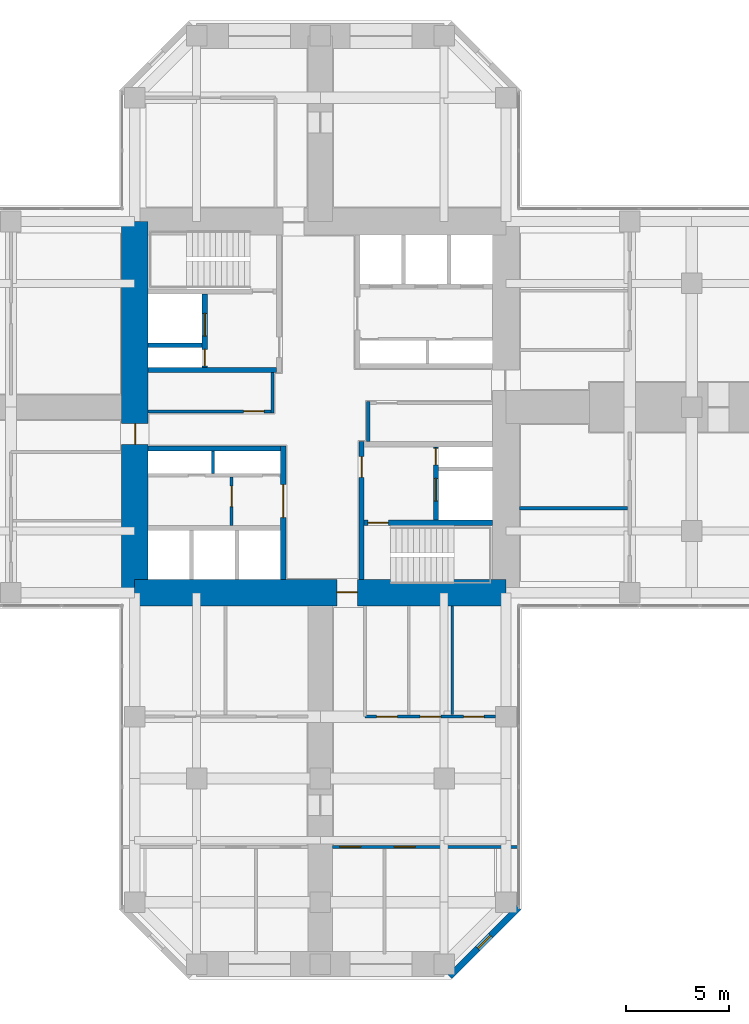
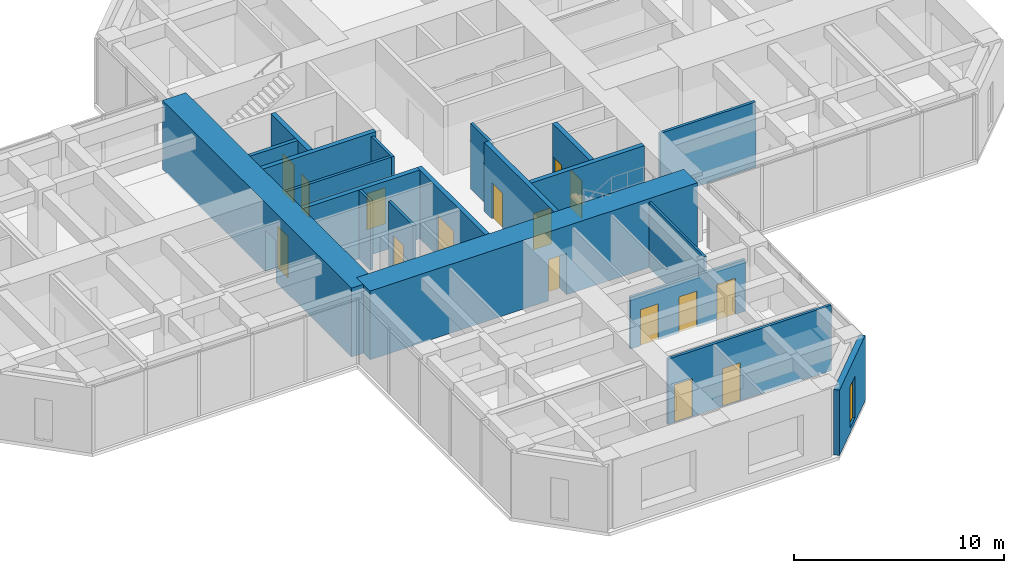
# One storey, part 9 of 13: 20 walls, 16 doors, 1 window, 17 openings.
"""IFC4 building model written with IfcOpenShell, lengths in metres."""

from ifc_helpers import new_model, si_unit, direction, frame, frame_2d, origin, place, context, subcontext, project, spatial, rectangle, hollow_rectangle, extrude, material, layer, layer_set, constituent, constituent_set, type_object, element, fill, save


model = new_model("IFC4")

# Units and contexts
model_context = context("Model", 3, precision=1e-05, world=origin(), true_north=direction((0.0, 1.0)))
body_context = subcontext(model_context, "Body", "Model", "MODEL_VIEW")
ifc_project = project(units=[si_unit("LENGTHUNIT", "METRE"), si_unit("AREAUNIT", "SQUARE_METRE"), si_unit("VOLUMEUNIT", "CUBIC_METRE"), si_unit("PLANEANGLEUNIT", "RADIAN"), si_unit("MASSUNIT", "GRAM", prefix="KILO")], contexts=[model_context])

# Site, building, storey
site_placement = place(None, origin())
site = spatial("IfcSite", under=ifc_project, at=site_placement, CompositionType="ELEMENT")
building_placement = place(site_placement, origin())
building = spatial("IfcBuilding", under=site, at=building_placement, Name="Torre Cruceta", CompositionType="ELEMENT")
storey_placement = place(building_placement, frame((0.0, 0.0, 156.5)))
storey = spatial("IfcBuildingStorey", under=building, at=storey_placement, Name="L38", CompositionType="ELEMENT", Elevation=156.5)

# Wall
ifc_material_1 = material(Name="Concrete G60 (fck 60 MPa)", Category="concrete")
ifc_layer_1 = layer(ifc_material_1, 0.25)
ifc_layer_set_1 = layer_set([ifc_layer_1], Name="Concrete G60 (fck 60 MPa)")
wall_type_1 = type_object("IfcWallType", Name="CORE INNER WALL 250 G60", PredefinedType="SHEAR", material=ifc_layer_set_1)
wall_1_placement = place(storey_placement, frame((-2.125, 1.800048828125, 0.0), z_axis=(0.0, 0.0, 1.0), x_axis=(-1.0, 0.0, 0.0)))
element("IfcWall", 1, at=wall_1_placement, inside=storey, type_object=wall_type_1, Name="CW4 L38 NW-CV", PredefinedType="SHEAR", context=body_context, shape_type="SweptSolid", body=[
    extrude(rectangle(XDim=6.22509765625, YDim=0.25, at=frame_2d((3.112548828125, 0.0))), origin(), (0.0, 0.0, 1.0), 4.0),
])

# Wall, openings, doors
wall_2_placement = place(storey_placement, frame((-5.60009765625, 1.925048828125, 0.0), z_axis=(0.0, 0.0, 1.0), x_axis=(0.0, 1.0, 0.0)))
wall_2 = element("IfcWall", 2, at=wall_2_placement, inside=storey, type_object=wall_type_1, Name="CW4 L38 NW-FU", PredefinedType="SHEAR", context=body_context, shape_type="SweptSolid", body=[
    extrude(rectangle(XDim=3.550048828125, YDim=0.25, at=frame_2d((1.77490234375, 0.0))), origin(), (0.0, 0.0, 1.0), 4.0),
])
opening_1_placement = place(wall_2_placement, frame((1.52490234375, 0.0, 0.0)))
opening_1 = element("IfcOpeningElement", 3, at=opening_1_placement, cuts=wall_2, Name="Opening LD1", PredefinedType="OPENING", context=body_context, shape_type="SweptSolid", body=[
    extrude(rectangle(XDim=1.10009765625, YDim=2.199951171875, at=frame_2d((0.550048828125, 1.10009765625))), frame((0.0, 0.135009765625, 0.0), z_axis=(0.0, -1.0, 0.0), x_axis=(1.0, 0.0, 0.0)), (0.0, 0.0, 1.0), 0.27001953125),
])
opening_2_placement = place(wall_2_placement, frame((0.074951171875, 0.0, 0.0)))
opening_2 = element("IfcOpeningElement", 4, at=opening_2_placement, cuts=wall_2, Name="Opening D5", PredefinedType="OPENING", context=body_context, shape_type="SweptSolid", body=[
    extrude(rectangle(XDim=0.800048828125, YDim=2.10009765625, at=frame_2d((0.39990234375, 1.050048828125))), frame((0.0, 0.135009765625, 0.0), z_axis=(0.0, -1.0, 0.0), x_axis=(1.0, 0.0, 0.0)), (0.0, 0.0, 1.0), 0.27001953125),
])
ifc_material_2 = material(Name="Stainless steel 1.4401", Category="steel")
door_type_1 = type_object("IfcDoorType", Name="LIFT LANDING DOOR 1100X2200", OperationType="DOUBLE_DOOR_SLIDING", PredefinedType="DOOR", material=ifc_material_2)
door_1_placement = place(opening_1_placement, origin())
door_1 = element("IfcDoor", 5, at=door_1_placement, inside=storey, type_object=door_type_1, Name="Lift landing door FL1", OperationType="DOUBLE_DOOR_SLIDING", OverallHeight=2.199951171875, OverallWidth=1.10009765625, PredefinedType="DOOR", context=body_context, shape_type="SweptSolid", body=[
    extrude(rectangle(XDim=1.10009765625, YDim=2.199951171875, at=frame_2d((0.550048828125, 1.10009765625))), frame((0.0, 0.02490234375, 0.0), z_axis=(0.0, -1.0, 0.0), x_axis=(1.0, 0.0, 0.0)), (0.0, 0.0, 1.0), 0.050048828125),
])
fill(opening_1, door_1)
ifc_material_3 = material(Name="Steel DX51D", Category="steel")
ifc_constituent_1 = constituent(ifc_material_3, Name="Leaf and frame")
ifc_material_4 = material(Name="Polyester powder coating", Category="paint")
ifc_constituent_2 = constituent(ifc_material_4, Name="Finish")
ifc_constituent_set_1 = constituent_set(constituents=[ifc_constituent_1, ifc_constituent_2], Name="Steel fire door")
door_type_2 = type_object("IfcDoorType", Name="RISER ACCESS DOOR 800X2100", OperationType="SINGLE_SWING_LEFT", PredefinedType="DOOR", material=ifc_constituent_set_1)
door_2_placement = place(opening_2_placement, origin())
door_2 = element("IfcDoor", 6, at=door_2_placement, inside=storey, type_object=door_type_2, Name="D5 L38 NW-RISER", OperationType="SINGLE_SWING_LEFT", OverallHeight=2.10009765625, OverallWidth=0.800048828125, PredefinedType="DOOR", context=body_context, shape_type="SweptSolid", body=[
    extrude(rectangle(XDim=0.800048828125, YDim=2.10009765625, at=frame_2d((0.39990234375, 1.050048828125))), frame((0.0, 0.02490234375, 0.0), z_axis=(0.0, -1.0, 0.0), x_axis=(1.0, 0.0, 0.0)), (0.0, 0.0, 1.0), 0.050048828125),
])
fill(opening_2, door_2)

# Wall, opening, door
wall_3_placement = place(storey_placement, frame((-1.800048828125, -1.875, 0.0), z_axis=(0.0, 0.0, 1.0), x_axis=(0.0, -1.0, 0.0)))
wall_3 = element("IfcWall", 7, at=wall_3_placement, inside=storey, type_object=wall_type_1, Name="CW4 L38 SW-CU", PredefinedType="SHEAR", context=body_context, shape_type="SweptSolid", body=[
    extrude(rectangle(XDim=6.47509765625, YDim=0.25, at=frame_2d((3.237548828125, 0.0))), origin(), (0.0, 0.0, 1.0), 4.0),
])
opening_3_placement = place(wall_3_placement, frame((1.875, 0.0, 0.0)))
opening_3 = element("IfcOpeningElement", 8, at=opening_3_placement, cuts=wall_3, Name="Opening D15", PredefinedType="OPENING", context=body_context, shape_type="SweptSolid", body=[
    extrude(rectangle(XDim=1.60009765625, YDim=2.39990234375, at=frame_2d((0.800048828125, 1.199951171875))), frame((0.0, 0.135009765625, 0.0), z_axis=(0.0, -1.0, 0.0), x_axis=(1.0, 0.0, 0.0)), (0.0, 0.0, 1.0), 0.27001953125),
])
ifc_material_5 = material(Name="Steel DX51D", Category="steel")
ifc_constituent_3 = constituent(ifc_material_5, Name="Leaf and frame")
ifc_material_6 = material(Name="Polyester powder coating", Category="paint")
ifc_constituent_4 = constituent(ifc_material_6, Name="Finish")
ifc_constituent_set_2 = constituent_set(constituents=[ifc_constituent_3, ifc_constituent_4], Name="Steel fire door")
door_type_3 = type_object("IfcDoorType", Name="CORE ROOM DOUBLE DOOR 1600X2400", OperationType="DOUBLE_DOOR_SINGLE_SWING", PredefinedType="DOOR", material=ifc_constituent_set_2)
door_3_placement = place(opening_3_placement, frame((1.60009765625, 0.0, 0.0), z_axis=(0.0, 0.0, 1.0), x_axis=(-1.0, 0.0, 0.0)))
door_3 = element("IfcDoor", 9, at=door_3_placement, inside=storey, type_object=door_type_3, Name="D15 L38 SW-LOBBY", OperationType="DOUBLE_DOOR_SINGLE_SWING", OverallHeight=2.39990234375, OverallWidth=1.60009765625, PredefinedType="DOOR", context=body_context, shape_type="SweptSolid", body=[
    extrude(rectangle(XDim=1.60009765625, YDim=2.39990234375, at=frame_2d((0.800048828125, 1.199951171875))), frame((0.0, 0.025146484375, 0.0), z_axis=(0.0, -1.0, 0.0), x_axis=(1.0, 0.0, 0.0)), (0.0, 0.0, 1.0), 0.050048828125),
])
fill(opening_3, door_3)

# Wall
wall_4_placement = place(storey_placement, frame((-1.925048828125, -2.0, 0.0), z_axis=(0.0, 0.0, 1.0), x_axis=(-1.0, 0.0, 0.0)))
element("IfcWall", 10, at=wall_4_placement, inside=storey, type_object=wall_type_1, Name="CW4 L38 SW-CV", PredefinedType="SHEAR", context=body_context, shape_type="SweptSolid", body=[
    extrude(rectangle(XDim=6.425048828125, YDim=0.25, at=frame_2d((3.21240234375, 0.0))), origin(), (0.0, 0.0, 1.0), 4.0),
])

# Wall, opening, door
wall_5_placement = place(storey_placement, frame((2.0, -1.675048828125, 0.0), z_axis=(0.0, 0.0, 1.0), x_axis=(0.0, -1.0, 0.0)))
wall_5 = element("IfcWall", 11, at=wall_5_placement, inside=storey, type_object=wall_type_1, Name="CW4 L38 SE-CU", PredefinedType="SHEAR", context=body_context, shape_type="SweptSolid", body=[
    extrude(rectangle(XDim=6.675048828125, YDim=0.25, at=frame_2d((3.33740234375, 0.0))), origin(), (0.0, 0.0, 1.0), 4.0),
])
opening_4_placement = place(wall_5_placement, frame((0.72509765625, 0.0, 0.0)))
opening_4 = element("IfcOpeningElement", 12, at=opening_4_placement, cuts=wall_5, Name="Opening D3", PredefinedType="OPENING", context=body_context, shape_type="SweptSolid", body=[
    extrude(rectangle(XDim=1.0, YDim=2.10009765625, at=frame_2d((0.5, 1.050048828125))), frame((0.0, 0.135009765625, 0.0), z_axis=(0.0, -1.0, 0.0), x_axis=(1.0, 0.0, 0.0)), (0.0, 0.0, 1.0), 0.27001953125),
])
ifc_material_7 = material(Name="Steel DX51D", Category="steel")
ifc_constituent_5 = constituent(ifc_material_7, Name="Leaf and frame")
ifc_material_8 = material(Name="Polyester powder coating", Category="paint")
ifc_constituent_6 = constituent(ifc_material_8, Name="Finish")
ifc_constituent_set_3 = constituent_set(constituents=[ifc_constituent_5, ifc_constituent_6], Name="Steel fire door")
door_type_4 = type_object("IfcDoorType", Name="FIRE DOOR 1000X2100", OperationType="SINGLE_SWING_LEFT", PredefinedType="DOOR", material=ifc_constituent_set_3)
door_4_placement = place(opening_4_placement, origin())
door_4 = element("IfcDoor", 13, at=door_4_placement, inside=storey, type_object=door_type_4, Name="D3 L38 SE-LOBBY", OperationType="SINGLE_SWING_LEFT", OverallHeight=2.10009765625, OverallWidth=1.0, PredefinedType="DOOR", context=body_context, shape_type="SweptSolid", body=[
    extrude(rectangle(XDim=1.0, YDim=2.10009765625, at=frame_2d((0.5, 1.050048828125))), frame((0.0, 0.02490234375, 0.0), z_axis=(0.0, -1.0, 0.0), x_axis=(1.0, 0.0, 0.0)), (0.0, 0.0, 1.0), 0.050048828125),
])
fill(opening_4, door_4)

wall_6_placement = place(storey_placement, frame((2.125, -5.60009765625, 0.0), z_axis=(0.0, 0.0, 1.0), x_axis=(1.0, 0.0, 0.0)))
wall_6 = element("IfcWall", 14, at=wall_6_placement, inside=storey, type_object=wall_type_1, Name="CW4 L38 SE-SV", PredefinedType="SHEAR", context=body_context, shape_type="SweptSolid", body=[
    extrude(rectangle(XDim=6.22509765625, YDim=0.25, at=frame_2d((3.112548828125, 0.0))), origin(), (0.0, 0.0, 1.0), 4.0),
])
opening_5_placement = place(wall_6_placement, frame((0.175048828125, 0.0, 0.0)))
opening_5 = element("IfcOpeningElement", 15, at=opening_5_placement, cuts=wall_6, Name="Opening D3", PredefinedType="OPENING", context=body_context, shape_type="SweptSolid", body=[
    extrude(rectangle(XDim=1.0, YDim=2.10009765625, at=frame_2d((0.5, 1.050048828125))), frame((0.0, 0.135009765625, 0.0), z_axis=(0.0, -1.0, 0.0), x_axis=(1.0, 0.0, 0.0)), (0.0, 0.0, 1.0), 0.27001953125),
])
door_5_placement = place(opening_5_placement, frame((1.0, 0.0, 0.0), z_axis=(0.0, 0.0, 1.0), x_axis=(-1.0, 0.0, 0.0)))
door_5 = element("IfcDoor", 16, at=door_5_placement, inside=storey, type_object=door_type_4, Name="D3 L38 SE-STAIR", OperationType="SINGLE_SWING_RIGHT", OverallHeight=2.10009765625, OverallWidth=1.0, PredefinedType="DOOR", context=body_context, shape_type="SweptSolid", body=[
    extrude(rectangle(XDim=1.0, YDim=2.10009765625, at=frame_2d((0.5, 1.050048828125))), frame((0.0, 0.025146484375, 0.0), z_axis=(0.0, -1.0, 0.0), x_axis=(1.0, 0.0, 0.0)), (0.0, 0.0, 1.0), 0.050048828125),
])
fill(opening_5, door_5)

# Wall, openings, doors
wall_7_placement = place(storey_placement, frame((5.60009765625, -1.925048828125, 0.0), z_axis=(0.0, 0.0, 1.0), x_axis=(0.0, -1.0, 0.0)))
wall_7 = element("IfcWall", 17, at=wall_7_placement, inside=storey, type_object=wall_type_1, Name="CW4 L38 SE-FU", PredefinedType="SHEAR", context=body_context, shape_type="SweptSolid", body=[
    extrude(rectangle(XDim=3.550048828125, YDim=0.25, at=frame_2d((1.77490234375, 0.0))), origin(), (0.0, 0.0, 1.0), 4.0),
])
opening_6_placement = place(wall_7_placement, frame((1.52490234375, 0.0, 0.0)))
opening_6 = element("IfcOpeningElement", 18, at=opening_6_placement, cuts=wall_7, Name="Opening LD1", PredefinedType="OPENING", context=body_context, shape_type="SweptSolid", body=[
    extrude(rectangle(XDim=1.10009765625, YDim=2.199951171875, at=frame_2d((0.550048828125, 1.10009765625))), frame((0.0, 0.135009765625, 0.0), z_axis=(0.0, -1.0, 0.0), x_axis=(1.0, 0.0, 0.0)), (0.0, 0.0, 1.0), 0.27001953125),
])
opening_7_placement = place(wall_7_placement, frame((0.074951171875, 0.0, 0.0)))
opening_7 = element("IfcOpeningElement", 19, at=opening_7_placement, cuts=wall_7, Name="Opening D5", PredefinedType="OPENING", context=body_context, shape_type="SweptSolid", body=[
    extrude(rectangle(XDim=0.800048828125, YDim=2.10009765625, at=frame_2d((0.39990234375, 1.050048828125))), frame((0.0, 0.135009765625, 0.0), z_axis=(0.0, -1.0, 0.0), x_axis=(1.0, 0.0, 0.0)), (0.0, 0.0, 1.0), 0.27001953125),
])
door_6_placement = place(opening_6_placement, origin())
door_6 = element("IfcDoor", 20, at=door_6_placement, inside=storey, type_object=door_type_1, Name="Lift landing door FL2", OperationType="DOUBLE_DOOR_SLIDING", OverallHeight=2.199951171875, OverallWidth=1.10009765625, PredefinedType="DOOR", context=body_context, shape_type="SweptSolid", body=[
    extrude(rectangle(XDim=1.10009765625, YDim=2.199951171875, at=frame_2d((0.550048828125, 1.10009765625))), frame((0.0, 0.02490234375, 0.0), z_axis=(0.0, -1.0, 0.0), x_axis=(1.0, 0.0, 0.0)), (0.0, 0.0, 1.0), 0.050048828125),
])
fill(opening_6, door_6)
door_7_placement = place(opening_7_placement, origin())
door_7 = element("IfcDoor", 21, at=door_7_placement, inside=storey, type_object=door_type_2, Name="D5 L38 SE-RISER", OperationType="SINGLE_SWING_LEFT", OverallHeight=2.10009765625, OverallWidth=0.800048828125, PredefinedType="DOOR", context=body_context, shape_type="SweptSolid", body=[
    extrude(rectangle(XDim=0.800048828125, YDim=2.10009765625, at=frame_2d((0.39990234375, 1.050048828125))), frame((0.0, 0.02490234375, 0.0), z_axis=(0.0, -1.0, 0.0), x_axis=(1.0, 0.0, 0.0)), (0.0, 0.0, 1.0), 0.050048828125),
])
fill(opening_7, door_7)

# Wall, opening, door
ifc_material_9 = material(Name="Concrete G60 (fck 60 MPa)", Category="concrete")
ifc_layer_2 = layer(ifc_material_9, 1.300048828125)
ifc_layer_set_2 = layer_set([ifc_layer_2], Name="Concrete G60 (fck 60 MPa)")
wall_type_2 = type_object("IfcWallType", Name="CORE WALL 1300 G60", PredefinedType="SHEAR", material=ifc_layer_set_2)
wall_8_placement = place(storey_placement, frame((-9.0, -9.0, 0.0), z_axis=(0.0, 0.0, 1.0), x_axis=(1.0, 0.0, 0.0)))
wall_8 = element("IfcWall", 22, at=wall_8_placement, inside=storey, type_object=wall_type_2, Name="CW1 L38 CW-S", PredefinedType="SHEAR", context=body_context, shape_type="SweptSolid", body=[
    extrude(rectangle(XDim=18.0, YDim=1.300048828125, at=frame_2d((9.0, 0.0))), origin(), (0.0, 0.0, 1.0), 4.0),
])
opening_8_placement = place(wall_8_placement, frame((9.800048828125, 0.0, 0.0)))
opening_8 = element("IfcOpeningElement", 23, at=opening_8_placement, cuts=wall_8, Name="Opening D4", PredefinedType="OPENING", context=body_context, shape_type="SweptSolid", body=[
    extrude(rectangle(XDim=1.0, YDim=2.39990234375, at=frame_2d((0.5, 1.199951171875))), frame((0.0, 0.659912109375, 0.0), z_axis=(0.0, -1.0, 0.0), x_axis=(1.0, 0.0, 0.0)), (0.0, 0.0, 1.0), 1.320068359375),
])
ifc_material_10 = material(Name="Steel DX51D", Category="steel")
ifc_constituent_7 = constituent(ifc_material_10, Name="Leaf and frame")
ifc_material_11 = material(Name="Polyester powder coating", Category="paint")
ifc_constituent_8 = constituent(ifc_material_11, Name="Finish")
ifc_constituent_set_4 = constituent_set(constituents=[ifc_constituent_7, ifc_constituent_8], Name="Steel fire door")
door_type_5 = type_object("IfcDoorType", Name="CORE ARM DOOR 1000X2400", OperationType="SINGLE_SWING_RIGHT", PredefinedType="DOOR", material=ifc_constituent_set_4)
door_8_placement = place(opening_8_placement, frame((1.0, 0.0, 0.0), z_axis=(0.0, 0.0, 1.0), x_axis=(-1.0, 0.0, 0.0)))
door_8 = element("IfcDoor", 24, at=door_8_placement, inside=storey, type_object=door_type_5, Name="D4 L38 CW-S", OperationType="SINGLE_SWING_RIGHT", OverallHeight=2.39990234375, OverallWidth=1.0, PredefinedType="DOOR", context=body_context, shape_type="SweptSolid", body=[
    extrude(rectangle(XDim=1.0, YDim=2.39990234375, at=frame_2d((0.5, 1.199951171875))), frame((0.0, -0.005126953125, 0.0), z_axis=(0.0, -1.0, 0.0), x_axis=(1.0, 0.0, 0.0)), (0.0, 0.0, 1.0), 0.050048828125),
])
fill(opening_8, door_8)

wall_9_placement = place(storey_placement, frame((-9.0, 9.0, 0.0), z_axis=(0.0, 0.0, 1.0), x_axis=(0.0, -1.0, 0.0)))
wall_9 = element("IfcWall", 25, at=wall_9_placement, inside=storey, type_object=wall_type_2, Name="CW1 L38 CW-W", PredefinedType="SHEAR", context=body_context, shape_type="SweptSolid", body=[
    extrude(rectangle(XDim=18.0, YDim=1.300048828125, at=frame_2d((9.0, 0.0))), origin(), (0.0, 0.0, 1.0), 4.0),
])
opening_9_placement = place(wall_9_placement, frame((9.800048828125, 0.0, 0.0)))
opening_9 = element("IfcOpeningElement", 26, at=opening_9_placement, cuts=wall_9, Name="Opening D4", PredefinedType="OPENING", context=body_context, shape_type="SweptSolid", body=[
    extrude(rectangle(XDim=1.0, YDim=2.39990234375, at=frame_2d((0.5, 1.199951171875))), frame((0.0, 0.659912109375, 0.0), z_axis=(0.0, -1.0, 0.0), x_axis=(1.0, 0.0, 0.0)), (0.0, 0.0, 1.0), 1.320068359375),
])
door_9_placement = place(opening_9_placement, frame((1.0, 0.0, 0.0), z_axis=(0.0, 0.0, 1.0), x_axis=(-1.0, 0.0, 0.0)))
door_9 = element("IfcDoor", 27, at=door_9_placement, inside=storey, type_object=door_type_5, Name="D4 L38 CW-W", OperationType="SINGLE_SWING_RIGHT", OverallHeight=2.39990234375, OverallWidth=1.0, PredefinedType="DOOR", context=body_context, shape_type="SweptSolid", body=[
    extrude(rectangle(XDim=1.0, YDim=2.39990234375, at=frame_2d((0.5, 1.199951171875))), frame((0.0, -0.005126953125, 0.0), z_axis=(0.0, -1.0, 0.0), x_axis=(1.0, 0.0, 0.0)), (0.0, 0.0, 1.0), 0.050048828125),
])
fill(opening_9, door_9)

# Wall, opening, window
ifc_material_12 = material(Name="Concrete G30 (fck 30 MPa)", Category="concrete")
ifc_layer_3 = layer(ifc_material_12, 0.300048828125)
ifc_layer_set_3 = layer_set([ifc_layer_3], Name="Concrete G30 (fck 30 MPa)")
wall_type_3 = type_object("IfcWallType", Name="EXPOSED CONCRETE FACADE WALL 300", PredefinedType="SOLIDWALL", material=ifc_layer_set_3)
wall_10_placement = place(storey_placement, frame((6.27685546875, -27.60009765625, 0.0), z_axis=(0.0, 0.0, 1.0), x_axis=(0.707106781187, 0.707106781187, 0.0)))
wall_10 = element("IfcWall", 28, at=wall_10_placement, inside=storey, type_object=wall_type_3, Name="EW1 facade wall L38 S chamfer 18", PredefinedType="SOLIDWALL", context=body_context, shape_type="SweptSolid", body=[
    extrude(rectangle(XDim=4.72802734375, YDim=0.300048828125, at=frame_2d((2.364013671875, 0.0))), origin(), (0.0, 0.0, 1.0), 3.800048828125),
])
opening_10_placement = place(wall_10_placement, frame((1.9140625, 0.0, 0.300048828125)))
opening_10 = element("IfcOpeningElement", 29, at=opening_10_placement, cuts=wall_10, Name="Opening WN5", PredefinedType="OPENING", context=body_context, shape_type="SweptSolid", body=[
    extrude(rectangle(XDim=0.89990234375, YDim=2.39990234375, at=frame_2d((0.449951171875, 1.199951171875))), frame((0.0, 0.159912109375, 0.0), z_axis=(0.0, -1.0, 0.0), x_axis=(1.0, 0.0, 0.0)), (0.0, 0.0, 1.0), 0.320068359375),
])
ifc_material_13 = material(Name="Aluminium window frame", Category="aluminium")
ifc_constituent_9 = constituent(ifc_material_13, Name="Frame")
ifc_material_14 = material(Name="Laminated insulating glass unit, low-iron clear", Category="glass")
ifc_constituent_10 = constituent(ifc_material_14, Name="Glazing")
ifc_constituent_set_5 = constituent_set(constituents=[ifc_constituent_9, ifc_constituent_10], Name="Aluminium window")
window_type = type_object("IfcWindowType", Name="CHAMFER SLOT WINDOW 900X2400", PartitioningType="SINGLE_PANEL", PredefinedType="WINDOW", material=ifc_constituent_set_5)
window_placement = place(opening_10_placement, origin())
window = element("IfcWindow", 30, at=window_placement, inside=storey, type_object=window_type, Name="WN5 L38 S 1", OverallHeight=2.39990234375, OverallWidth=0.89990234375, PartitioningType="SINGLE_PANEL", PredefinedType="WINDOW", context=body_context, shape_type="SweptSolid", body=[
    extrude(hollow_rectangle(XDim=0.89990234375, YDim=2.39990234375, WallThickness=0.06005859375, at=frame_2d((0.449951171875, 1.199951171875))), frame((0.0, 0.030029296875, 0.0), z_axis=(0.0, -1.0, 0.0), x_axis=(1.0, 0.0, 0.0)), (0.0, 0.0, 1.0), 0.06005859375),
    extrude(rectangle(XDim=0.77880859375, YDim=2.27880859375, at=frame_2d((0.449951171875, 1.199951171875))), frame((0.0, 0.030029296875, 0.0), z_axis=(0.0, -1.0, 0.0), x_axis=(1.0, 0.0, 0.0)), (0.0, 0.0, 1.0), 0.06005859375),
])
fill(opening_10, window)

# Walls
ifc_material_15 = material(Name="Concrete G35 (fck 35 MPa)", Category="concrete")
ifc_layer_4 = layer(ifc_material_15, 0.199951171875)
ifc_layer_set_4 = layer_set([ifc_layer_4], Name="Concrete G35 (fck 35 MPa)")
wall_type_4 = type_object("IfcWallType", Name="LIFT SHAFT WALL 200", PredefinedType="PARTITIONING", material=ifc_layer_set_4)
wall_11_placement = place(storey_placement, frame((-5.72509765625, 3.0, 0.0), z_axis=(0.0, 0.0, 1.0), x_axis=(-1.0, 0.0, 0.0)))
element("IfcWall", 31, at=wall_11_placement, inside=storey, type_object=wall_type_4, Name="SW1 L38 NW-FR", PredefinedType="PARTITIONING", context=body_context, shape_type="SweptSolid", body=[
    extrude(rectangle(XDim=2.625, YDim=0.199951171875, at=frame_2d((1.3125, 0.0))), origin(), (0.0, 0.0, 1.0), 4.0),
])
ifc_material_16 = material(Name="Plasterboard on steel studs", Category="steel")
ifc_layer_5 = layer(ifc_material_16, 0.14990234375)
ifc_layer_set_5 = layer_set([ifc_layer_5], Name="Plasterboard on steel studs")
wall_type_5 = type_object("IfcWallType", Name="PARTITION 150", PredefinedType="PARTITIONING", material=ifc_layer_set_5)
wall_12_placement = place(storey_placement, frame((2.324951171875, -1.675048828125, 0.0), z_axis=(0.0, 0.0, 1.0), x_axis=(0.0, 1.0, 0.0)))
element("IfcWall", 32, at=wall_12_placement, inside=storey, type_object=wall_type_5, Name="PT1 L38-CORE-LEGE-S-W2", PredefinedType="PARTITIONING", context=body_context, shape_type="SweptSolid", body=[
    extrude(rectangle(XDim=1.949951171875, YDim=0.14990234375, at=frame_2d((0.97509765625, 0.0))), origin(), (0.0, 0.0, 1.0), 3.800048828125),
])

# Wall, opening, door
wall_13_placement = place(storey_placement, frame((-2.324951171875, -0.199951171875, 0.0), z_axis=(0.0, 0.0, 1.0), x_axis=(-1.0, 0.0, 0.0)))
wall_13 = element("IfcWall", 33, at=wall_13_placement, inside=storey, type_object=wall_type_5, Name="PT1 L38-CORE-LEGW-N-W1", PredefinedType="PARTITIONING", context=body_context, shape_type="SweptSolid", body=[
    extrude(rectangle(XDim=6.025146484375, YDim=0.14990234375, at=frame_2d((3.0126953125, 0.0))), origin(), (0.0, 0.0, 1.0), 3.800048828125),
])
opening_11_placement = place(wall_13_placement, frame((0.39990234375, 0.0, 0.0)))
opening_11 = element("IfcOpeningElement", 34, at=opening_11_placement, cuts=wall_13, Name="Opening D3", PredefinedType="OPENING", context=body_context, shape_type="SweptSolid", body=[
    extrude(rectangle(XDim=1.0, YDim=2.10009765625, at=frame_2d((0.5, 1.050048828125))), frame((0.0, 0.0849609375, 0.0), z_axis=(0.0, -1.0, 0.0), x_axis=(1.0, 0.0, 0.0)), (0.0, 0.0, 1.0), 0.169921875),
])
door_10_placement = place(opening_11_placement, frame((1.0, 0.0, 0.0), z_axis=(0.0, 0.0, 1.0), x_axis=(-1.0, 0.0, 0.0)))
door_10 = element("IfcDoor", 35, at=door_10_placement, inside=storey, type_object=door_type_4, Name="D3 L38-CORE-LEGW-N-W1-D1", OperationType="SINGLE_SWING_RIGHT", OverallHeight=2.10009765625, OverallWidth=1.0, PredefinedType="DOOR", context=body_context, shape_type="SweptSolid", body=[
    extrude(rectangle(XDim=1.0, YDim=2.10009765625, at=frame_2d((0.5, 1.050048828125))), frame((0.0, 0.025146484375, 0.0), z_axis=(0.0, -1.0, 0.0), x_axis=(1.0, 0.0, 0.0)), (0.0, 0.0, 1.0), 0.050048828125),
])
fill(opening_11, door_10)

# Wall
wall_14_placement = place(storey_placement, frame((-2.324951171875, 1.675048828125, 0.0), z_axis=(0.0, 0.0, 1.0), x_axis=(0.0, -1.0, 0.0)))
element("IfcWall", 36, at=wall_14_placement, inside=storey, type_object=wall_type_5, Name="PT1 L38-CORE-LEGW-N-W2", PredefinedType="PARTITIONING", context=body_context, shape_type="SweptSolid", body=[
    extrude(rectangle(XDim=1.949951171875, YDim=0.14990234375, at=frame_2d((0.97509765625, 0.0))), origin(), (0.0, 0.0, 1.0), 3.800048828125),
])

# Wall, opening, door
wall_15_placement = place(storey_placement, frame((-4.300048828125, -3.375, 0.0), z_axis=(0.0, 0.0, 1.0), x_axis=(0.0, -1.0, 0.0)))
wall_15 = element("IfcWall", 37, at=wall_15_placement, inside=storey, type_object=wall_type_5, Name="PT1 L38-CORE-SW-X", PredefinedType="PARTITIONING", context=body_context, shape_type="SweptSolid", body=[
    extrude(rectangle(XDim=2.35009765625, YDim=0.14990234375, at=frame_2d((1.175048828125, 0.0))), origin(), (0.0, 0.0, 1.0), 3.800048828125),
])
opening_12_placement = place(wall_15_placement, frame((0.449951171875, 0.0, 0.0)))
opening_12 = element("IfcOpeningElement", 38, at=opening_12_placement, cuts=wall_15, Name="Opening D3", PredefinedType="OPENING", context=body_context, shape_type="SweptSolid", body=[
    extrude(rectangle(XDim=1.0, YDim=2.10009765625, at=frame_2d((0.5, 1.050048828125))), frame((0.0, 0.0849609375, 0.0), z_axis=(0.0, -1.0, 0.0), x_axis=(1.0, 0.0, 0.0)), (0.0, 0.0, 1.0), 0.169921875),
])
door_11_placement = place(opening_12_placement, origin())
door_11 = element("IfcDoor", 39, at=door_11_placement, inside=storey, type_object=door_type_4, Name="D3 L38-CORE-SW-X-D1", OperationType="SINGLE_SWING_LEFT", OverallHeight=2.10009765625, OverallWidth=1.0, PredefinedType="DOOR", context=body_context, shape_type="SweptSolid", body=[
    extrude(rectangle(XDim=1.0, YDim=2.10009765625, at=frame_2d((0.5, 1.050048828125))), frame((0.0, 0.02490234375, 0.0), z_axis=(0.0, -1.0, 0.0), x_axis=(1.0, 0.0, 0.0)), (0.0, 0.0, 1.0), 0.050048828125),
])
fill(opening_12, door_11)

# Wall
wall_16_placement = place(storey_placement, frame((9.64990234375, -4.89990234375, 0.0), z_axis=(0.0, 0.0, 1.0), x_axis=(1.0, 0.0, 0.0)))
element("IfcWall", 40, at=wall_16_placement, inside=storey, type_object=wall_type_5, Name="PT1 L38-E-BDR1", PredefinedType="PARTITIONING", context=body_context, shape_type="SweptSolid", body=[
    extrude(rectangle(XDim=5.25, YDim=0.14990234375, at=frame_2d((2.625, 0.0))), origin(), (0.0, 0.0, 1.0), 3.800048828125),
])

# Wall, openings, doors
wall_17_placement = place(storey_placement, frame((2.175048828125, -15.0, 0.0), z_axis=(0.0, 0.0, 1.0), x_axis=(1.0, 0.0, 0.0)))
wall_17 = element("IfcWall", 41, at=wall_17_placement, inside=storey, type_object=wall_type_5, Name="PT1 L38-S-BFL", PredefinedType="PARTITIONING", context=body_context, shape_type="SweptSolid", body=[
    extrude(rectangle(XDim=6.324951171875, YDim=0.14990234375, at=frame_2d((3.16259765625, 0.0))), origin(), (0.0, 0.0, 1.0), 3.0),
])
opening_13_placement = place(wall_17_placement, frame((0.55419921875, 0.0, 0.0)))
opening_13 = element("IfcOpeningElement", 42, at=opening_13_placement, cuts=wall_17, Name="Opening D3", PredefinedType="OPENING", context=body_context, shape_type="SweptSolid", body=[
    extrude(rectangle(XDim=1.0, YDim=2.10009765625, at=frame_2d((0.5, 1.050048828125))), frame((0.0, 0.0849609375, 0.0), z_axis=(0.0, -1.0, 0.0), x_axis=(1.0, 0.0, 0.0)), (0.0, 0.0, 1.0), 0.169921875),
])
opening_14_placement = place(wall_17_placement, frame((2.66259765625, 0.0, 0.0)))
opening_14 = element("IfcOpeningElement", 43, at=opening_14_placement, cuts=wall_17, Name="Opening D3", PredefinedType="OPENING", context=body_context, shape_type="SweptSolid", body=[
    extrude(rectangle(XDim=1.0, YDim=2.10009765625, at=frame_2d((0.5, 1.050048828125))), frame((0.0, 0.0849609375, 0.0), z_axis=(0.0, -1.0, 0.0), x_axis=(1.0, 0.0, 0.0)), (0.0, 0.0, 1.0), 0.169921875),
])
opening_15_placement = place(wall_17_placement, frame((4.770751953125, 0.0, 0.0)))
opening_15 = element("IfcOpeningElement", 44, at=opening_15_placement, cuts=wall_17, Name="Opening D3", PredefinedType="OPENING", context=body_context, shape_type="SweptSolid", body=[
    extrude(rectangle(XDim=1.0, YDim=2.10009765625, at=frame_2d((0.5, 1.050048828125))), frame((0.0, 0.0849609375, 0.0), z_axis=(0.0, -1.0, 0.0), x_axis=(1.0, 0.0, 0.0)), (0.0, 0.0, 1.0), 0.169921875),
])
door_12_placement = place(opening_13_placement, origin())
door_12 = element("IfcDoor", 45, at=door_12_placement, inside=storey, type_object=door_type_4, Name="D3 L38-S-BFL-D1", OperationType="SINGLE_SWING_LEFT", OverallHeight=2.10009765625, OverallWidth=1.0, PredefinedType="DOOR", context=body_context, shape_type="SweptSolid", body=[
    extrude(rectangle(XDim=1.0, YDim=2.10009765625, at=frame_2d((0.5, 1.050048828125))), frame((0.0, 0.02490234375, 0.0), z_axis=(0.0, -1.0, 0.0), x_axis=(1.0, 0.0, 0.0)), (0.0, 0.0, 1.0), 0.050048828125),
])
fill(opening_13, door_12)
door_13_placement = place(opening_14_placement, origin())
door_13 = element("IfcDoor", 46, at=door_13_placement, inside=storey, type_object=door_type_4, Name="D3 L38-S-BFL-D2", OperationType="SINGLE_SWING_LEFT", OverallHeight=2.10009765625, OverallWidth=1.0, PredefinedType="DOOR", context=body_context, shape_type="SweptSolid", body=[
    extrude(rectangle(XDim=1.0, YDim=2.10009765625, at=frame_2d((0.5, 1.050048828125))), frame((0.0, 0.02490234375, 0.0), z_axis=(0.0, -1.0, 0.0), x_axis=(1.0, 0.0, 0.0)), (0.0, 0.0, 1.0), 0.050048828125),
])
fill(opening_14, door_13)
door_14_placement = place(opening_15_placement, origin())
door_14 = element("IfcDoor", 47, at=door_14_placement, inside=storey, type_object=door_type_4, Name="D3 L38-S-BFL-D3", OperationType="SINGLE_SWING_LEFT", OverallHeight=2.10009765625, OverallWidth=1.0, PredefinedType="DOOR", context=body_context, shape_type="SweptSolid", body=[
    extrude(rectangle(XDim=1.0, YDim=2.10009765625, at=frame_2d((0.5, 1.050048828125))), frame((0.0, 0.02490234375, 0.0), z_axis=(0.0, -1.0, 0.0), x_axis=(1.0, 0.0, 0.0)), (0.0, 0.0, 1.0), 0.050048828125),
])
fill(opening_15, door_14)

wall_18_placement = place(storey_placement, frame((0.60009765625, -21.320068359375, 0.0), z_axis=(0.0, 0.0, 1.0), x_axis=(1.0, 0.0, 0.0)))
wall_18 = element("IfcWall", 48, at=wall_18_placement, inside=storey, type_object=wall_type_5, Name="PT1 L38-S-TWL", PredefinedType="PARTITIONING", context=body_context, shape_type="SweptSolid", body=[
    extrude(rectangle(XDim=8.97998046875, YDim=0.14990234375, at=frame_2d((4.489990234375, 0.0))), origin(), (0.0, 0.0, 1.0), 3.800048828125),
])
opening_16_placement = place(wall_18_placement, frame((0.35009765625, 0.0, 0.0)))
opening_16 = element("IfcOpeningElement", 49, at=opening_16_placement, cuts=wall_18, Name="Opening D14", PredefinedType="OPENING", context=body_context, shape_type="SweptSolid", body=[
    extrude(rectangle(XDim=1.0, YDim=2.199951171875, at=frame_2d((0.5, 1.10009765625))), frame((0.0, 0.0849609375, 0.0), z_axis=(0.0, -1.0, 0.0), x_axis=(1.0, 0.0, 0.0)), (0.0, 0.0, 1.0), 0.169921875),
])
opening_17_placement = place(wall_18_placement, frame((2.992919921875, 0.0, 0.0)))
opening_17 = element("IfcOpeningElement", 50, at=opening_17_placement, cuts=wall_18, Name="Opening D14", PredefinedType="OPENING", context=body_context, shape_type="SweptSolid", body=[
    extrude(rectangle(XDim=1.0, YDim=2.199951171875, at=frame_2d((0.5, 1.10009765625))), frame((0.0, 0.0849609375, 0.0), z_axis=(0.0, -1.0, 0.0), x_axis=(1.0, 0.0, 0.0)), (0.0, 0.0, 1.0), 0.169921875),
])
ifc_material_17 = material(Name="Steel DX51D", Category="steel")
ifc_constituent_11 = constituent(ifc_material_17, Name="Leaf and frame")
ifc_material_18 = material(Name="Polyester powder coating", Category="paint")
ifc_constituent_12 = constituent(ifc_material_18, Name="Finish")
ifc_material_19 = material(Name="Fire-resisting glass", Category="glass")
ifc_constituent_13 = constituent(ifc_material_19, Name="Vision panel")
ifc_constituent_set_6 = constituent_set(constituents=[ifc_constituent_11, ifc_constituent_12, ifc_constituent_13], Name="Steel fire door with vision panel")
door_type_6 = type_object("IfcDoorType", Name="FIRE DOOR VISION PANEL 1000X2200", OperationType="SINGLE_SWING_RIGHT", PredefinedType="DOOR", material=ifc_constituent_set_6)
door_15_placement = place(opening_16_placement, frame((1.0, 0.0, 0.0), z_axis=(0.0, 0.0, 1.0), x_axis=(-1.0, 0.0, 0.0)))
door_15 = element("IfcDoor", 51, at=door_15_placement, inside=storey, type_object=door_type_6, Name="D14 L38-S-TWL-D1", OperationType="SINGLE_SWING_RIGHT", OverallHeight=2.199951171875, OverallWidth=1.0, PredefinedType="DOOR", context=body_context, shape_type="SweptSolid", body=[
    extrude(rectangle(XDim=1.0, YDim=2.199951171875, at=frame_2d((0.5, 1.10009765625))), frame((0.0, 0.025146484375, 0.0), z_axis=(0.0, -1.0, 0.0), x_axis=(1.0, 0.0, 0.0)), (0.0, 0.0, 1.0), 0.050048828125),
])
fill(opening_16, door_15)
door_16_placement = place(opening_17_placement, frame((1.0, 0.0, 0.0), z_axis=(0.0, 0.0, 1.0), x_axis=(-1.0, 0.0, 0.0)))
door_16 = element("IfcDoor", 52, at=door_16_placement, inside=storey, type_object=door_type_6, Name="D14 L38-S-TWL-D2", OperationType="SINGLE_SWING_RIGHT", OverallHeight=2.199951171875, OverallWidth=1.0, PredefinedType="DOOR", context=body_context, shape_type="SweptSolid", body=[
    extrude(rectangle(XDim=1.0, YDim=2.199951171875, at=frame_2d((0.5, 1.10009765625))), frame((0.0, 0.025146484375, 0.0), z_axis=(0.0, -1.0, 0.0), x_axis=(1.0, 0.0, 0.0)), (0.0, 0.0, 1.0), 0.050048828125),
])
fill(opening_17, door_16)

# Walls
ifc_material_20 = material(Name="Concrete block masonry", Category="masonry")
ifc_layer_6 = layer(ifc_material_20, 0.14990234375)
ifc_layer_set_6 = layer_set([ifc_layer_6], Name="Concrete block masonry")
wall_type_6 = type_object("IfcWallType", Name="RISER WALL 150", PredefinedType="PARTITIONING", material=ifc_layer_set_6)
wall_19_placement = place(storey_placement, frame((-5.199951171875, -2.125, 0.0), z_axis=(0.0, 0.0, 1.0), x_axis=(0.0, -1.0, 0.0)))
element("IfcWall", 53, at=wall_19_placement, inside=storey, type_object=wall_type_6, Name="SW7 L38 SW-RU", PredefinedType="PARTITIONING", context=body_context, shape_type="SweptSolid", body=[
    extrude(rectangle(XDim=1.10009765625, YDim=0.14990234375, at=frame_2d((0.550048828125, 0.0))), origin(), (0.0, 0.0, 1.0), 4.0),
])
ifc_material_21 = material(Name="Plasterboard on steel studs", Category="steel")
ifc_layer_7 = layer(ifc_material_21, 0.1201171875)
ifc_layer_set_7 = layer_set([ifc_layer_7], Name="Plasterboard on steel studs")
wall_type_7 = type_object("IfcWallType", Name="WC PARTITION 120", PredefinedType="PLUMBINGWALL", material=ifc_layer_set_7)
wall_20_placement = place(storey_placement, frame((6.3916015625, -9.64990234375, 0.0), z_axis=(0.0, 0.0, 1.0), x_axis=(0.0, -1.0, 0.0)))
element("IfcWall", 54, at=wall_20_placement, inside=storey, type_object=wall_type_7, Name="PT5 L38-S-BDL2", PredefinedType="PLUMBINGWALL", context=body_context, shape_type="SweptSolid", body=[
    extrude(rectangle(XDim=5.25, YDim=0.1201171875, at=frame_2d((2.625, 0.0))), origin(), (0.0, 0.0, 1.0), 3.800048828125),
])

save(model, "model.ifc")
